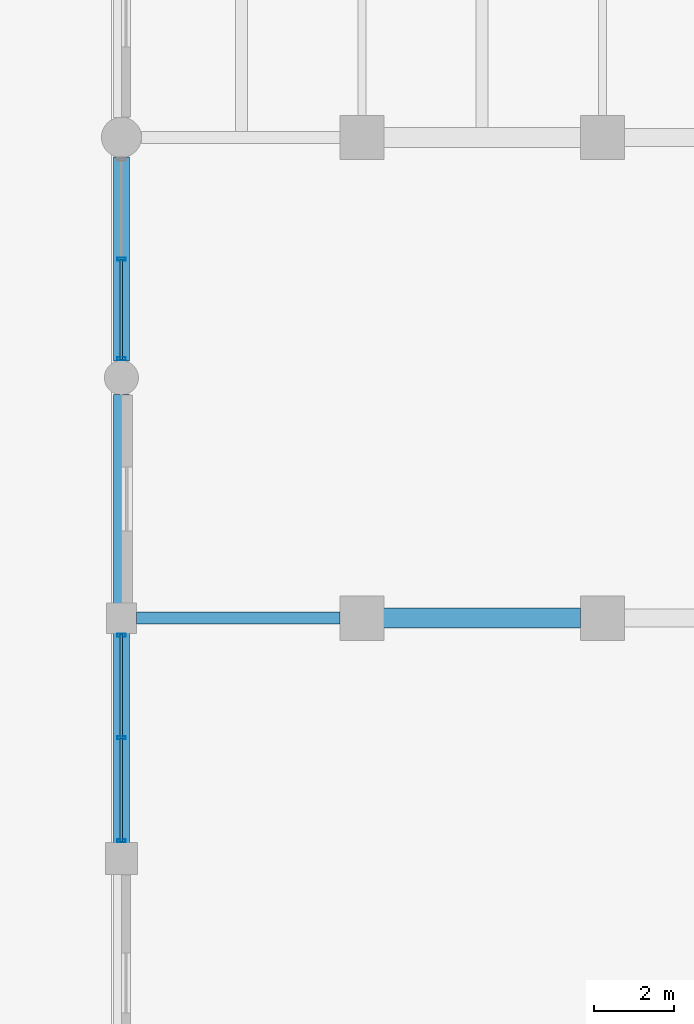
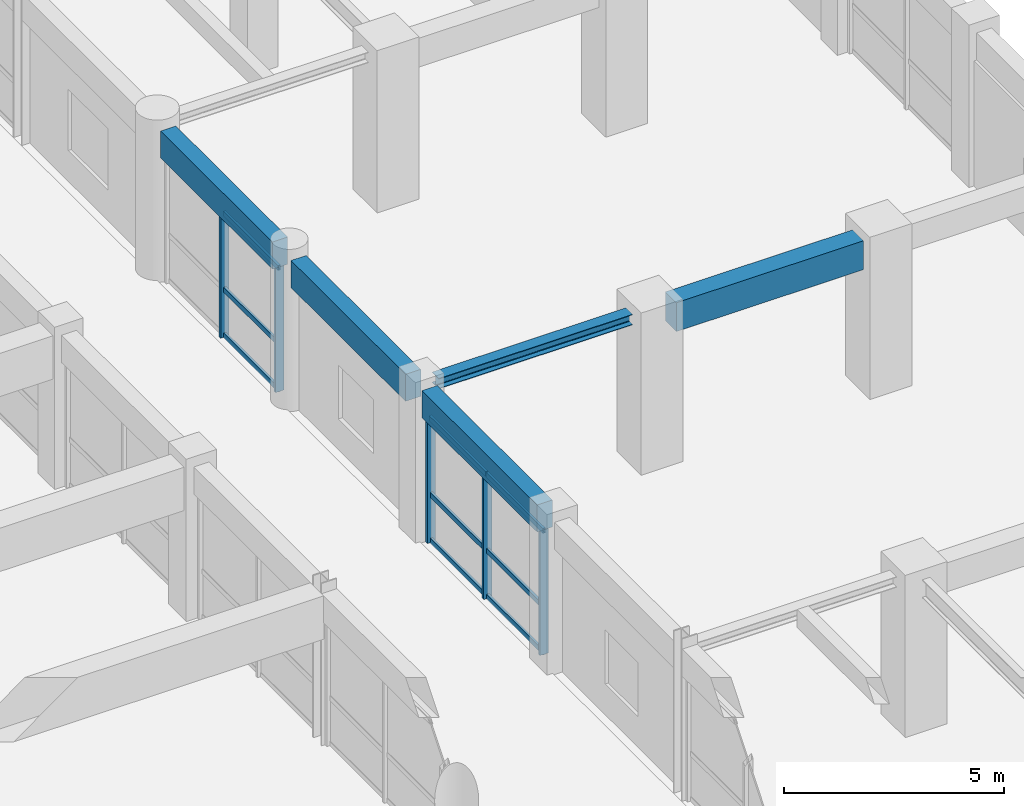
# One storey, part 66 of 133: 14 members, 5 beams, 2 elements without a shape of their own.
"""IFC4 building model written with IfcOpenShell, lengths in metres."""

import ifcopenshell
import ifcopenshell.guid

model = None  # the IFC model being written
_history = None  # IfcOwnerHistory: only IFC2X3 demands one
_inside = {}  # id of a spatial element -> (the spatial element, [elements in it])
_under = {}  # id of a project, library or spatial element -> (it, [spatial elements below it])
_declared = {}  # id of a project -> (the project, [libraries it declares])
_typed = {}  # id of a type object -> (the type object, [elements of that type])
_made_of = {}  # id of a material, layer set ... -> (it, [elements and type objects made of it])


def new_model(schema):
    """Start an empty IFC model of exactly this schema.

    Asked for "IFC4X3", IfcOpenShell would pick the latest addendum, in which some entities
    have other attributes; the version numbers below select the first issue.
    IFC2X3 requires an IfcOwnerHistory on every rooted entity: one is made here for all.
    """
    global model, _history
    if schema == "IFC4X3":
        model = ifcopenshell.file(schema_version=(4, 3, 0, 0))
    else:
        model = ifcopenshell.file(schema=schema)
    _inside.clear()
    _under.clear()
    _declared.clear()
    _typed.clear()
    _made_of.clear()
    _history = None
    if model.schema == "IFC2X3":
        org = make("IfcOrganization", Name="unknown")
        user = make(
            "IfcPersonAndOrganization",
            ThePerson=make("IfcPerson", FamilyName="unknown"),
            TheOrganization=org,
        )
        app = make(
            "IfcApplication",
            ApplicationDeveloper=org,
            Version="unknown",
            ApplicationFullName="unknown",
            ApplicationIdentifier="unknown",
        )
        _history = make(
            "IfcOwnerHistory",
            OwningUser=user,
            OwningApplication=app,
            ChangeAction="ADDED",
            CreationDate=0,
        )
    return model


def make(cls, **values):
    """One entity of the class cls with the attributes given. An attribute that is None is left unset."""
    return model.create_entity(
        cls, **{name: value for name, value in values.items() if value is not None}
    )


def rooted(cls, **values):
    """An entity with a GlobalId (a new one), such as an element, a storey or a relation."""
    return make(cls, GlobalId=ifcopenshell.guid.new(), OwnerHistory=_history, **values)


def si_unit(unit_type, name, prefix=None):
    """IfcSIUnit, for example si_unit("LENGTHUNIT", "METRE", prefix="MILLI")."""
    return make("IfcSIUnit", UnitType=unit_type, Prefix=prefix, Name=name)


def assignment(units):
    """IfcUnitAssignment: the units of a project."""
    return None if units is None else make("IfcUnitAssignment", Units=units)


def point(xyz):
    """IfcCartesianPoint."""
    return None if xyz is None else make("IfcCartesianPoint", Coordinates=xyz)


def direction(xyz):
    """IfcDirection."""
    return None if xyz is None else make("IfcDirection", DirectionRatios=xyz)


def frame(location, z_axis=None, x_axis=None):
    """IfcAxis2Placement3D, a coordinate frame: its origin and axes. An axis left out is left unset."""
    return make(
        "IfcAxis2Placement3D",
        Location=point(location),
        Axis=direction(z_axis),
        RefDirection=direction(x_axis),
    )


def frame_2d(location, x_axis=None):
    """IfcAxis2Placement2D, a coordinate frame in the plane: its origin and x axis."""
    return make(
        "IfcAxis2Placement2D", Location=point(location), RefDirection=direction(x_axis)
    )


def origin():
    """The frame at (0, 0, 0) with its axes left unset."""
    return frame((0.0, 0.0, 0.0))


def origin_2d():
    """The frame at (0, 0) in the plane with its x axis left unset."""
    return frame_2d((0.0, 0.0))


def place(relative_to, where):
    """IfcLocalPlacement: puts the frame where relative to a parent placement (None: the world)."""
    return make(
        "IfcLocalPlacement", PlacementRelTo=relative_to, RelativePlacement=where
    )


def context(
    kind, dimensions, precision=None, world=None, true_north=None, identifier=None
):
    """IfcGeometricRepresentationContext, for example the 3D "Model" context."""
    return make(
        "IfcGeometricRepresentationContext",
        ContextIdentifier=identifier,
        ContextType=kind,
        CoordinateSpaceDimension=dimensions,
        Precision=precision,
        WorldCoordinateSystem=world,
        TrueNorth=true_north,
    )


def subcontext(parent, identifier, kind, view, scale=None):
    """IfcGeometricRepresentationSubContext, for example "Body" below "Model"."""
    return make(
        "IfcGeometricRepresentationSubContext",
        ContextIdentifier=identifier,
        ContextType=kind,
        ParentContext=parent,
        TargetScale=scale,
        TargetView=view,
    )


def project(units=None, contexts=None):
    """IfcProject with its units and contexts."""
    return rooted(
        "IfcProject",
        Name="project",
        RepresentationContexts=contexts,
        UnitsInContext=assignment(units),
    )


def spatial(cls, under=None, at=None, **own):
    """A site, building, storey or space (cls), placed at a placement, below another one or the project."""
    s = rooted(cls, ObjectPlacement=at, **own)
    if under is not None:
        _under.setdefault(under.id(), (under, []))[1].append(s)
    return s


def profile(cls, at=None, kind="AREA", **sizes):
    """A parametric profile (cls). Its sizes go by their IFC names, for example OverallWidth=200.0."""
    return make(cls, ProfileType=kind, Position=at, **sizes)


def rectangle(**sizes):
    """IfcRectangleProfileDef."""
    return profile("IfcRectangleProfileDef", **sizes)


def hollow_rectangle(**sizes):
    """IfcRectangleHollowProfileDef."""
    return profile("IfcRectangleHollowProfileDef", **sizes)


def i_section(**sizes):
    """IfcIShapeProfileDef."""
    return profile("IfcIShapeProfileDef", **sizes)


def extrude(swept, where, along, depth):
    """IfcExtrudedAreaSolid: the profile swept, set in the frame where, extruded along a direction by depth."""
    return make(
        "IfcExtrudedAreaSolid",
        SweptArea=swept,
        Position=where,
        ExtrudedDirection=direction(along),
        Depth=depth,
    )


def shape(context_of_items, identifier, shape_type, items):
    """IfcShapeRepresentation: the items that make up one representation, for example the "Body"."""
    return make(
        "IfcShapeRepresentation",
        ContextOfItems=context_of_items,
        RepresentationIdentifier=identifier,
        RepresentationType=shape_type,
        Items=items,
    )


def material(Name=None, Category=None):
    """IfcMaterial."""
    return make("IfcMaterial", Name=Name, Category=Category)


def material_profile(
    of_material, cross_section, Name=None, Category=None, Priority=None
):
    """IfcMaterialProfile: a cross section and its material."""
    return make(
        "IfcMaterialProfile",
        Name=Name,
        Material=of_material,
        Profile=cross_section,
        Priority=Priority,
        Category=Category,
    )


def profile_set(profiles, Name=None, composite=None):
    """IfcMaterialProfileSet."""
    return make(
        "IfcMaterialProfileSet",
        Name=Name,
        MaterialProfiles=profiles,
        CompositeProfile=composite,
    )


def made_of(thing, what):
    """Note that an element or type object is made of a material, layer set ...; save() writes the relation."""
    if what is not None:
        _made_of.setdefault(what.id(), (what, []))[1].append(thing)
    return thing


def type_object(cls, material=None, **own):
    """A type object (cls), such as IfcWallType, which elements share."""
    return made_of(rooted(cls, **own), material)


def element(
    cls,
    number,
    at=None,
    inside=None,
    cuts=None,
    type_object=None,
    material=None,
    context=None,
    identifier="Body",
    shape_type=None,
    held_by="IfcProductDefinitionShape",
    body=None,
    shapes=None,
    **own,
):
    """One element of the class cls, such as IfcWall. Its Tag is "e" and its number.

    at: its placement. inside: the storey or other place that contains it. cuts: it is an
    opening in that element (IfcRelVoidsElement). A single representation is given by context,
    identifier, shape_type and body (its items); several are given by shapes. held_by: the class
    of the entity that holds the representations. save() writes the other relations.
    """
    e = rooted(cls, Tag="e%d" % number, ObjectPlacement=at, **own)
    if body is not None:
        shapes = [shape(context, identifier, shape_type, body)]
    if shapes is not None:
        e.Representation = make(held_by, Representations=shapes)
    if inside is not None:
        _inside.setdefault(inside.id(), (inside, []))[1].append(e)
    if cuts is not None:
        rooted(
            "IfcRelVoidsElement", RelatingBuildingElement=cuts, RelatedOpeningElement=e
        )
    if type_object is not None:
        _typed.setdefault(type_object.id(), (type_object, []))[1].append(e)
    return made_of(e, material)


def aggregate(whole, parts):
    """IfcRelAggregates: a whole, such as a stair, and the parts it consists of."""
    return rooted("IfcRelAggregates", RelatingObject=whole, RelatedObjects=parts)


def save(model, path):
    """Write the relations noted so far, then the file.

    IfcRelAggregates (storeys below a building ...), IfcRelContainedInSpatialStructure (elements
    in a storey), IfcRelDefinesByType, IfcRelAssociatesMaterial and IfcRelDeclares: one each for
    every whole, place, type object, material and project.
    """
    for whole, parts in _under.values():
        aggregate(whole, parts)
    for where, things in _inside.values():
        rooted(
            "IfcRelContainedInSpatialStructure",
            RelatedElements=things,
            RelatingStructure=where,
        )
    for kind, things in _typed.values():
        rooted("IfcRelDefinesByType", RelatedObjects=things, RelatingType=kind)
    for what, things in _made_of.values():
        rooted("IfcRelAssociatesMaterial", RelatedObjects=things, RelatingMaterial=what)
    for by, libraries in _declared.values():
        rooted("IfcRelDeclares", RelatingContext=by, RelatedDefinitions=libraries)
    model.write(path)


model = new_model("IFC4")

# Units and contexts
model_context = context("Model", 3, precision=1e-05, world=origin(), true_north=direction((0.0, 1.0)))
body_context = subcontext(model_context, "Body", "Model", "MODEL_VIEW")
ifc_project = project(units=[si_unit("LENGTHUNIT", "METRE"), si_unit("AREAUNIT", "SQUARE_METRE"), si_unit("VOLUMEUNIT", "CUBIC_METRE"), si_unit("PLANEANGLEUNIT", "RADIAN"), si_unit("MASSUNIT", "GRAM", prefix="KILO"), si_unit("THERMODYNAMICTEMPERATUREUNIT", "KELVIN"), si_unit("POWERUNIT", "WATT")], contexts=[model_context])

# Site, building, storey
site_placement = place(None, origin())
site = spatial("IfcSite", under=ifc_project, at=site_placement, CompositionType="ELEMENT")
building_placement = place(site_placement, origin())
building = spatial("IfcBuilding", under=site, at=building_placement, Name="Phaisarnlok Congress Hotel", CompositionType="ELEMENT")
storey_placement = place(building_placement, frame((0.0, 0.0, 6.0)))
storey = spatial("IfcBuildingStorey", under=building, at=storey_placement, Name="L01", CompositionType="ELEMENT", Elevation=6.0)

# Beams
ifc_material_1 = material(Name="Concrete C40/50", Category="concrete")
ifc_material_profile_1 = material_profile(ifc_material_1, rectangle(XDim=0.5, YDim=0.800048828125, at=origin_2d()), Name="RC 500x800")
ifc_profile_set_1 = profile_set([ifc_material_profile_1], Name="Concrete C40/50")
beam_type_1 = type_object("IfcBeamType", Name="BM-RC-500x800", PredefinedType="BEAM", material=ifc_profile_set_1)
beam_1_placement = place(storey_placement, frame((168.544921875, 54.0, 3.820068359375), z_axis=(1.0, 0.0, 0.0), x_axis=(0.0, 1.0, 0.0)))
element("IfcBeam", 1, at=beam_1_placement, inside=storey, type_object=beam_type_1, Name="Beam B-04", PredefinedType="BEAM", context=body_context, shape_type="SweptSolid", body=[
    extrude(rectangle(XDim=0.5, YDim=0.800048828125, at=origin_2d()), origin(), (0.0, 0.0, 1.0), 4.91015625),
])
ifc_material_2 = material(Name="Steel S355", Category="steel")
ifc_material_profile_2 = material_profile(ifc_material_2, i_section(OverallWidth=0.300048828125, OverallDepth=0.2900390625, WebThickness=0.008544921875, FlangeThickness=0.013916015625, FilletRadius=0.027099609375, at=origin_2d()), Name="HEA 300")
ifc_profile_set_2 = profile_set([ifc_material_profile_2], Name="Steel S355")
beam_type_2 = type_object("IfcBeamType", Name="BM-STL-HEA300", PredefinedType="BEAM", material=ifc_profile_set_2)
beam_2_placement = place(storey_placement, frame((162.3701171875, 54.0, 4.074951171875), z_axis=(1.0, 0.0, 0.0), x_axis=(0.0, 1.0, 0.0)))
element("IfcBeam", 2, at=beam_2_placement, inside=storey, type_object=beam_type_2, Name="Beam SB-05", PredefinedType="BEAM", context=body_context, shape_type="SweptSolid", body=[
    extrude(i_section(OverallWidth=0.300048828125, OverallDepth=0.2900390625, WebThickness=0.008544921875, FlangeThickness=0.013916015625, FilletRadius=0.027099609375, at=origin_2d()), origin(), (0.0, 0.0, 1.0), 5.0849609375),
])

# Curtain wall, members
ifc_material_3 = material(Name="Thermally Broken Unitised Aluminium & Low-E Glazing", Category="aluminium")
curtain_wall_type_1 = type_object("IfcCurtainWallType", Name="CW-UNIT-12", PredefinedType="NOTDEFINED", material=ifc_material_3)
curtain_wall_1_placement = place(storey_placement, origin())
curtain_wall_1 = element("IfcCurtainWall", 3, at=curtain_wall_1_placement, inside=storey, type_object=curtain_wall_type_1, Name="Unitised curtain wall CW-12 (L01)", PredefinedType="NOTDEFINED")
ifc_material_4 = material(Name="Anodised Aluminium Alloy 6063-T6", Category="aluminium")
ifc_material_profile_3 = material_profile(ifc_material_4, hollow_rectangle(XDim=0.074951171875, YDim=0.219970703125, WallThickness=0.0048828125, at=origin_2d()), Name="ALU-M 75x220x5")
ifc_profile_set_3 = profile_set([ifc_material_profile_3], Name="Anodised Aluminium Alloy 6063-T6")
member_type_1 = type_object("IfcMemberType", Name="CWM-220", PredefinedType="MULLION", material=ifc_profile_set_3)
member_1_placement = place(storey_placement, frame((162.0, 62.96240234375, 0.0), z_axis=(0.0, 0.0, 1.0), x_axis=(0.0, -1.0, 0.0)))
member_1 = element("IfcMember", 4, at=member_1_placement, type_object=member_type_1, Name="Curtain wall mullion CWM-02", PredefinedType="MULLION", context=body_context, shape_type="SweptSolid", body=[
    extrude(hollow_rectangle(XDim=0.074951171875, YDim=0.219970703125, WallThickness=0.0048828125, at=origin_2d()), origin(), (0.0, 0.0, 1.0), 3.469970703125),
])
member_2_placement = place(storey_placement, frame((162.0, 60.47509765625, 0.0), z_axis=(0.0, 0.0, 1.0), x_axis=(0.0, -1.0, 0.0)))
member_2 = element("IfcMember", 5, at=member_2_placement, type_object=member_type_1, Name="Curtain wall mullion CWM-02", PredefinedType="MULLION", context=body_context, shape_type="SweptSolid", body=[
    extrude(hollow_rectangle(XDim=0.074951171875, YDim=0.219970703125, WallThickness=0.0048828125, at=origin_2d()), origin(), (0.0, 0.0, 1.0), 3.469970703125),
])

curtain_wall_type_2 = type_object("IfcCurtainWallType", Name="CW-UNIT-15", PredefinedType="NOTDEFINED", material=ifc_material_3)
curtain_wall_2_placement = place(storey_placement, origin())
curtain_wall_2 = element("IfcCurtainWall", 6, at=curtain_wall_2_placement, inside=storey, type_object=curtain_wall_type_2, Name="Unitised curtain wall CW-15 (L01)", PredefinedType="NOTDEFINED")
member_3_placement = place(storey_placement, frame((162.0, 53.574951171875, 0.0), z_axis=(0.0, 0.0, 1.0), x_axis=(0.0, -1.0, 0.0)))
member_3 = element("IfcMember", 7, at=member_3_placement, type_object=member_type_1, Name="Curtain wall mullion CWM-02", PredefinedType="MULLION", context=body_context, shape_type="SweptSolid", body=[
    extrude(hollow_rectangle(XDim=0.074951171875, YDim=0.219970703125, WallThickness=0.0048828125, at=origin_2d()), origin(), (0.0, 0.0, 1.0), 3.469970703125),
])
member_4_placement = place(storey_placement, frame((162.0, 51.012451171875, 0.0), z_axis=(0.0, 0.0, 1.0), x_axis=(0.0, -1.0, 0.0)))
member_4 = element("IfcMember", 8, at=member_4_placement, type_object=member_type_1, Name="Curtain wall mullion CWM-02", PredefinedType="MULLION", context=body_context, shape_type="SweptSolid", body=[
    extrude(hollow_rectangle(XDim=0.074951171875, YDim=0.219970703125, WallThickness=0.0048828125, at=origin_2d()), origin(), (0.0, 0.0, 1.0), 3.469970703125),
])
member_5_placement = place(storey_placement, frame((162.0, 48.449951171875, 0.0), z_axis=(0.0, 0.0, 1.0), x_axis=(0.0, -1.0, 0.0)))
member_5 = element("IfcMember", 9, at=member_5_placement, type_object=member_type_1, Name="Curtain wall mullion CWM-02", PredefinedType="MULLION", context=body_context, shape_type="SweptSolid", body=[
    extrude(hollow_rectangle(XDim=0.074951171875, YDim=0.219970703125, WallThickness=0.0048828125, at=origin_2d()), origin(), (0.0, 0.0, 1.0), 3.469970703125),
])

# Member
ifc_material_profile_4 = material_profile(ifc_material_4, hollow_rectangle(XDim=0.06494140625, YDim=0.139892578125, WallThickness=0.00390625, at=origin_2d()), Name="ALU-T 65x140x4")
ifc_profile_set_4 = profile_set([ifc_material_profile_4], Name="Anodised Aluminium Alloy 6063-T6")
member_type_2 = type_object("IfcMemberType", Name="CWT-150", PredefinedType="USERDEFINED", material=ifc_profile_set_4)
member_6_placement = place(storey_placement, frame((162.0, 62.947509765625, 0.050048828125), z_axis=(0.0, -1.0, 0.0), x_axis=(1.0, 0.0, 0.0)))
member_6 = element("IfcMember", 10, at=member_6_placement, type_object=member_type_2, Name="Curtain wall transom CWT-01", ObjectType="TRANSOM", PredefinedType="USERDEFINED", context=body_context, shape_type="SweptSolid", body=[
    extrude(hollow_rectangle(XDim=0.06494140625, YDim=0.139892578125, WallThickness=0.00390625, at=origin_2d()), origin(), (0.0, 0.0, 1.0), 2.49755859375),
])

member_7_placement = place(storey_placement, frame((162.0, 62.947509765625, 1.318603515625), z_axis=(0.0, -1.0, 0.0), x_axis=(1.0, 0.0, 0.0)))
member_7 = element("IfcMember", 11, at=member_7_placement, type_object=member_type_2, Name="Curtain wall transom CWT-01", ObjectType="TRANSOM", PredefinedType="USERDEFINED", context=body_context, shape_type="SweptSolid", body=[
    extrude(hollow_rectangle(XDim=0.06494140625, YDim=0.139892578125, WallThickness=0.00390625, at=origin_2d()), origin(), (0.0, 0.0, 1.0), 2.49755859375),
])

member_8_placement = place(storey_placement, frame((162.0, 62.947509765625, 3.419921875), z_axis=(0.0, -1.0, 0.0), x_axis=(1.0, 0.0, 0.0)))
member_8 = element("IfcMember", 12, at=member_8_placement, type_object=member_type_2, Name="Curtain wall transom CWT-01", ObjectType="TRANSOM", PredefinedType="USERDEFINED", context=body_context, shape_type="SweptSolid", body=[
    extrude(hollow_rectangle(XDim=0.06494140625, YDim=0.139892578125, WallThickness=0.00390625, at=origin_2d()), origin(), (0.0, 0.0, 1.0), 2.49755859375),
])

aggregate(curtain_wall_1, [member_1, member_2, member_6, member_7, member_8])

member_9_placement = place(storey_placement, frame((162.0, 53.60009765625, 0.050048828125), z_axis=(0.0, -1.0, 0.0), x_axis=(1.0, 0.0, 0.0)))
member_9 = element("IfcMember", 13, at=member_9_placement, type_object=member_type_2, Name="Curtain wall transom CWT-01", ObjectType="TRANSOM", PredefinedType="USERDEFINED", context=body_context, shape_type="SweptSolid", body=[
    extrude(hollow_rectangle(XDim=0.06494140625, YDim=0.139892578125, WallThickness=0.00390625, at=origin_2d()), origin(), (0.0, 0.0, 1.0), 2.572509765625),
])

member_10_placement = place(storey_placement, frame((162.0, 53.60009765625, 1.318603515625), z_axis=(0.0, -1.0, 0.0), x_axis=(1.0, 0.0, 0.0)))
member_10 = element("IfcMember", 14, at=member_10_placement, type_object=member_type_2, Name="Curtain wall transom CWT-01", ObjectType="TRANSOM", PredefinedType="USERDEFINED", context=body_context, shape_type="SweptSolid", body=[
    extrude(hollow_rectangle(XDim=0.06494140625, YDim=0.139892578125, WallThickness=0.00390625, at=origin_2d()), origin(), (0.0, 0.0, 1.0), 2.572509765625),
])

member_11_placement = place(storey_placement, frame((162.0, 53.60009765625, 3.419921875), z_axis=(0.0, -1.0, 0.0), x_axis=(1.0, 0.0, 0.0)))
member_11 = element("IfcMember", 15, at=member_11_placement, type_object=member_type_2, Name="Curtain wall transom CWT-01", ObjectType="TRANSOM", PredefinedType="USERDEFINED", context=body_context, shape_type="SweptSolid", body=[
    extrude(hollow_rectangle(XDim=0.06494140625, YDim=0.139892578125, WallThickness=0.00390625, at=origin_2d()), origin(), (0.0, 0.0, 1.0), 2.572509765625),
])

member_12_placement = place(storey_placement, frame((162.0, 50.99755859375, 0.050048828125), z_axis=(0.0, -1.0, 0.0), x_axis=(1.0, 0.0, 0.0)))
member_12 = element("IfcMember", 16, at=member_12_placement, type_object=member_type_2, Name="Curtain wall transom CWT-01", ObjectType="TRANSOM", PredefinedType="USERDEFINED", context=body_context, shape_type="SweptSolid", body=[
    extrude(hollow_rectangle(XDim=0.06494140625, YDim=0.139892578125, WallThickness=0.00390625, at=origin_2d()), origin(), (0.0, 0.0, 1.0), 2.572509765625),
])

member_13_placement = place(storey_placement, frame((162.0, 50.99755859375, 1.318603515625), z_axis=(0.0, -1.0, 0.0), x_axis=(1.0, 0.0, 0.0)))
member_13 = element("IfcMember", 17, at=member_13_placement, type_object=member_type_2, Name="Curtain wall transom CWT-01", ObjectType="TRANSOM", PredefinedType="USERDEFINED", context=body_context, shape_type="SweptSolid", body=[
    extrude(hollow_rectangle(XDim=0.06494140625, YDim=0.139892578125, WallThickness=0.00390625, at=origin_2d()), origin(), (0.0, 0.0, 1.0), 2.572509765625),
])

member_14_placement = place(storey_placement, frame((162.0, 50.99755859375, 3.419921875), z_axis=(0.0, -1.0, 0.0), x_axis=(1.0, 0.0, 0.0)))
member_14 = element("IfcMember", 18, at=member_14_placement, type_object=member_type_2, Name="Curtain wall transom CWT-01", ObjectType="TRANSOM", PredefinedType="USERDEFINED", context=body_context, shape_type="SweptSolid", body=[
    extrude(hollow_rectangle(XDim=0.06494140625, YDim=0.139892578125, WallThickness=0.00390625, at=origin_2d()), origin(), (0.0, 0.0, 1.0), 2.572509765625),
])

aggregate(curtain_wall_2, [member_3, member_4, member_5, member_9, member_10, member_11, member_12, member_13, member_14])

# Beams
ifc_material_profile_5 = material_profile(ifc_material_1, rectangle(XDim=0.39990234375, YDim=0.75, at=origin_2d()), Name="RC 400x750")
ifc_profile_set_5 = profile_set([ifc_material_profile_5], Name="Concrete C40/50")
beam_type_3 = type_object("IfcBeamType", Name="SP-RC-400x750", PredefinedType="SPANDREL", material=ifc_profile_set_5)
beam_3_placement = place(storey_placement, frame((162.0, 48.39501953125, 3.844970703125), z_axis=(0.0, 1.0, 0.0), x_axis=(-1.0, 0.0, 0.0)))
element("IfcBeam", 19, at=beam_3_placement, inside=storey, type_object=beam_type_3, Name="Beam SP-02", PredefinedType="SPANDREL", context=body_context, shape_type="SweptSolid", body=[
    extrude(rectangle(XDim=0.39990234375, YDim=0.75, at=origin_2d()), origin(), (0.0, 0.0, 1.0), 5.23486328125),
])
beam_4_placement = place(storey_placement, frame((162.0, 54.3701171875, 3.844970703125), z_axis=(0.0, 1.0, 0.0), x_axis=(-1.0, 0.0, 0.0)))
element("IfcBeam", 20, at=beam_4_placement, inside=storey, type_object=beam_type_3, Name="Beam SP-02", PredefinedType="SPANDREL", context=body_context, shape_type="SweptSolid", body=[
    extrude(rectangle(XDim=0.39990234375, YDim=0.75, at=origin_2d()), origin(), (0.0, 0.0, 1.0), 5.2099609375),
])
beam_5_placement = place(storey_placement, frame((162.0, 60.419921875, 3.844970703125), z_axis=(0.0, 1.0, 0.0), x_axis=(-1.0, 0.0, 0.0)))
element("IfcBeam", 21, at=beam_5_placement, inside=storey, type_object=beam_type_3, Name="Beam SP-02", PredefinedType="SPANDREL", context=body_context, shape_type="SweptSolid", body=[
    extrude(rectangle(XDim=0.39990234375, YDim=0.75, at=origin_2d()), origin(), (0.0, 0.0, 1.0), 5.0849609375),
])

save(model, "model.ifc")
